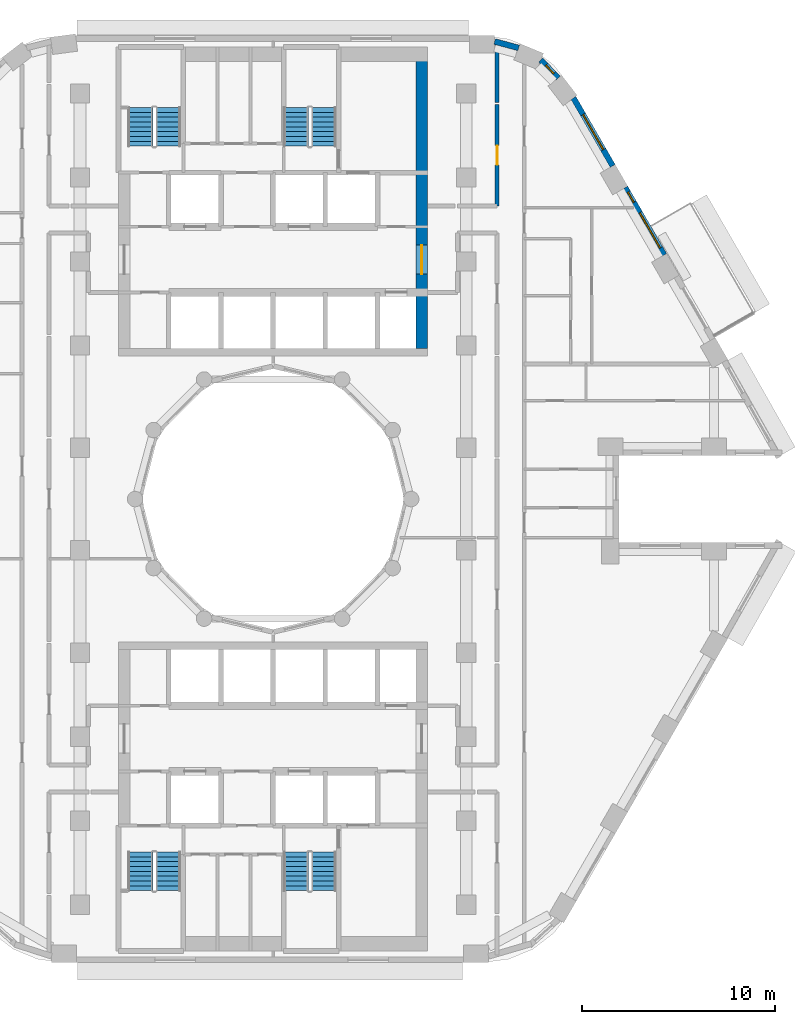
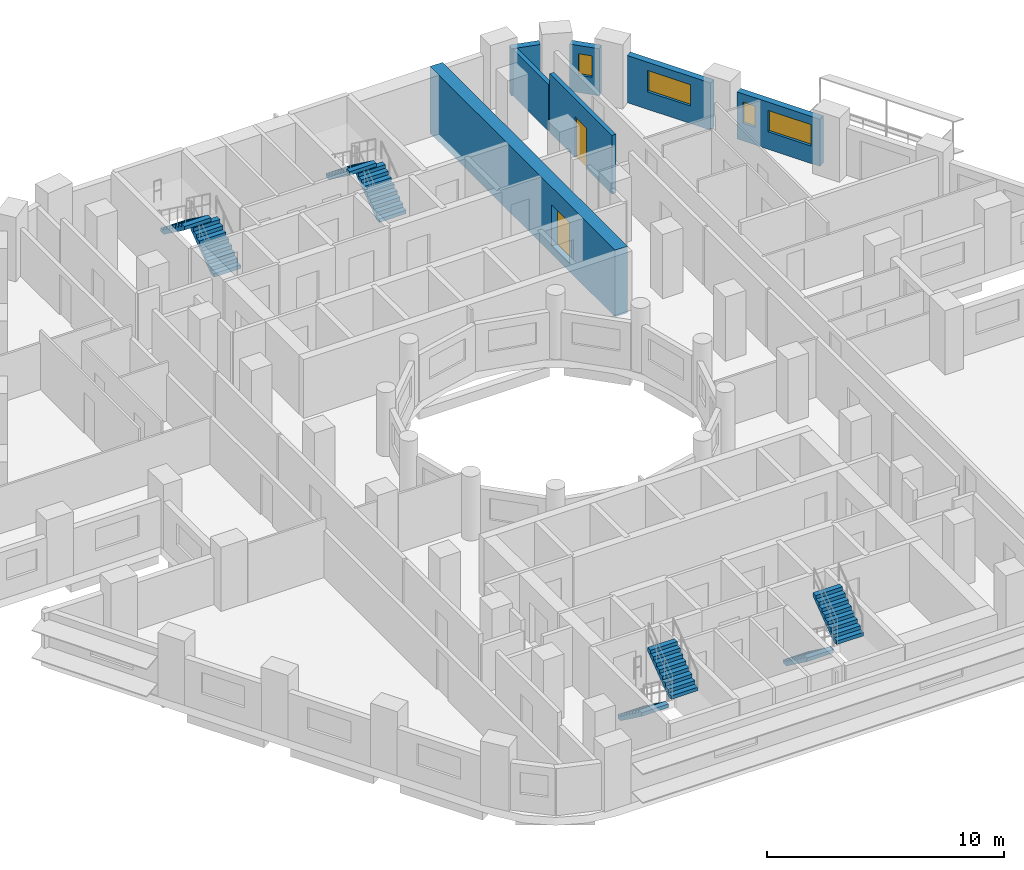
# One storey, part 9 of 14: 8 stair flights, 7 walls, 4 windows, 2 doors, 6 openings, 4 elements without a shape of their own.
"""IFC4 building model written with IfcOpenShell, lengths in metres."""

from ifc_helpers import new_model, si_unit, direction, frame, frame_2d, origin, place, context, subcontext, project, spatial, polyline, rectangle, outline, extrude, material, layer, layer_set, type_object, element, fill, aggregate, save


model = new_model("IFC4")

# Units and contexts
model_context = context("Model", 3, precision=1e-05, world=origin(), true_north=direction((0.0, 1.0)))
body_context = subcontext(model_context, "Body", "Model", "MODEL_VIEW")
ifc_project = project(units=[si_unit("LENGTHUNIT", "METRE"), si_unit("AREAUNIT", "SQUARE_METRE"), si_unit("VOLUMEUNIT", "CUBIC_METRE"), si_unit("PLANEANGLEUNIT", "RADIAN"), si_unit("MASSUNIT", "GRAM", prefix="KILO")], contexts=[model_context])

# Site, building, storey
site_placement = place(None, origin())
site = spatial("IfcSite", under=ifc_project, at=site_placement, CompositionType="ELEMENT")
building_placement = place(site_placement, origin())
building = spatial("IfcBuilding", under=site, at=building_placement, Name="Nakaniwa Court", CompositionType="ELEMENT")
storey_placement = place(building_placement, frame((0.0, 0.0, 127.199951171875)))
storey = spatial("IfcBuildingStorey", under=building, at=storey_placement, Name="L32", CompositionType="ELEMENT", Elevation=127.199951171875)

# Wall, opening, door
ifc_material_1 = material(Name="Acoustic double stud partition")
ifc_layer_1 = layer(ifc_material_1, 0.199951171875)
ifc_layer_set_1 = layer_set([ifc_layer_1], Name="Acoustic double stud partition")
wall_type_1 = type_object("IfcWallType", Name="Acoustic double stud partition 200", PredefinedType="PARTITIONING", material=ifc_layer_set_1)
wall_1_placement = place(storey_placement, frame((91.60009765625, 95.175048828125, 0.0), z_axis=(0.0, 0.0, 1.0), x_axis=(0.0, 1.0, 0.0)))
wall_1 = element("IfcWall", 1, at=wall_1_placement, inside=storey, type_object=wall_type_1, Name="Partition PW-079", PredefinedType="PARTITIONING", context=body_context, shape_type="SweptSolid", body=[
    extrude(rectangle(XDim=5.247802734375, YDim=0.199951171875, at=frame_2d((2.6240234375, 0.0))), origin(), (0.0, 0.0, 1.0), 3.025146484375),
])
opening_1_placement = place(wall_1_placement, frame((2.123046875, 0.0, 0.0)))
opening_1 = element("IfcOpeningElement", 2, at=opening_1_placement, cuts=wall_1, Name="Opening D-02-04", PredefinedType="OPENING", context=body_context, shape_type="SweptSolid", body=[
    extrude(rectangle(XDim=1.0, YDim=2.10009765625, at=frame_2d((0.5, 1.050048828125))), frame((0.0, 0.10986328125, 0.0), z_axis=(0.0, -1.0, 0.0), x_axis=(1.0, 0.0, 0.0)), (0.0, 0.0, 1.0), 0.219970703125),
])
ifc_material_2 = material(Name="Solid core timber door set, black veneer", Category="wood")
door_type_1 = type_object("IfcDoorType", Name="Internal door 1000", OperationType="NOTDEFINED", PredefinedType="DOOR", material=ifc_material_2)
door_1_placement = place(opening_1_placement, origin())
door_1 = element("IfcDoor", 3, at=door_1_placement, inside=storey, type_object=door_type_1, Name="Door D-02-04 L32-033", OperationType="SINGLE_SWING_RIGHT", OverallHeight=2.10009765625, OverallWidth=1.0, PredefinedType="DOOR", context=body_context, shape_type="SweptSolid", body=[
    extrude(rectangle(XDim=1.0, YDim=2.10009765625, at=frame_2d((0.5, 1.050048828125))), frame((0.0, 0.02490234375, 0.0), z_axis=(0.0, -1.0, 0.0), x_axis=(1.0, 0.0, 0.0)), (0.0, 0.0, 1.0), 0.050048828125),
])
fill(opening_1, door_1)

# Wall
wall_2_placement = place(storey_placement, frame((91.60009765625, 100.537109375, 0.0), z_axis=(0.0, 0.0, 1.0), x_axis=(0.0, 1.0, 0.0)))
element("IfcWall", 4, at=wall_2_placement, inside=storey, type_object=wall_type_1, Name="Partition PW-080", PredefinedType="PARTITIONING", context=body_context, shape_type="SweptSolid", body=[
    extrude(rectangle(XDim=3.06201171875, YDim=0.199951171875, at=frame_2d((1.531005859375, 0.0))), origin(), (0.0, 0.0, 1.0), 2.405029296875),
])

# Wall, openings, windows
ifc_material_3 = material(Name="Charcoal ceramic cladding")
ifc_layer_2 = layer(ifc_material_3, 0.02, Name="Ceramic cladding")
ifc_material_4 = material(Name="Ventilated air cavity")
ifc_layer_3 = layer(ifc_material_4, 0.04, ventilated=True, Name="Ventilated cavity")
ifc_material_5 = material(Name="Mineral wool insulation")
ifc_layer_4 = layer(ifc_material_5, 0.1, Name="Insulation")
ifc_material_6 = material(Name="Cement bonded sheathing board")
ifc_layer_5 = layer(ifc_material_6, 0.012, Name="Sheathing")
ifc_material_7 = material(Name="Cold-formed galvanised stud frame with mineral wool infill")
ifc_layer_6 = layer(ifc_material_7, 0.1, Name="Stud frame")
ifc_material_8 = material(Name="Fire-rated gypsum plasterboard lining")
ifc_layer_7 = layer(ifc_material_8, 0.028, Name="Lining")
ifc_layer_set_2 = layer_set([ifc_layer_2, ifc_layer_3, ifc_layer_4, ifc_layer_5, ifc_layer_6, ifc_layer_7], Name="Charcoal ceramic faced external wall system")
wall_type_2 = type_object("IfcWallType", Name="Black ceramic faced external wall 300", PredefinedType="SOLIDWALL", material=ifc_layer_set_2)
wall_3_placement = place(storey_placement, frame((100.245361328125, 92.63427734375, 0.0), z_axis=(0.0, 0.0, 1.0), x_axis=(-0.500031546601, 0.86600718958, 0.0)))
wall_3 = element("IfcWall", 5, at=wall_3_placement, inside=storey, type_object=wall_type_2, Name="L32 external wall 04", PredefinedType="SOLIDWALL", context=body_context, shape_type="SweptSolid", body=[
    extrude(rectangle(XDim=4.033935546875, YDim=0.300048828125, at=frame_2d((2.01708984375, 0.0))), origin(), (0.0, 0.0, 1.0), 2.425048828125),
])
opening_2_placement = place(wall_3_placement, frame((0.425048828125, 0.0, 0.89990234375)))
opening_2 = element("IfcOpeningElement", 6, at=opening_2_placement, cuts=wall_3, Name="Opening W7.05", PredefinedType="OPENING", context=body_context, shape_type="SweptSolid", body=[
    extrude(rectangle(XDim=2.10009765625, YDim=1.10009765625, at=frame_2d((1.050048828125, 0.550048828125))), frame((0.0, 0.159912109375, 0.0), z_axis=(0.0, -1.0, 0.0), x_axis=(1.0, 0.0, 0.0)), (0.0, 0.0, 1.0), 0.320068359375),
])
opening_3_placement = place(wall_3_placement, frame((3.154296875, 0.0, 0.89990234375)))
opening_3 = element("IfcOpeningElement", 7, at=opening_3_placement, cuts=wall_3, Name="Opening W8.06", PredefinedType="OPENING", context=body_context, shape_type="SweptSolid", body=[
    extrude(rectangle(XDim=0.60009765625, YDim=1.10009765625, at=frame_2d((0.300048828125, 0.550048828125))), frame((0.0, 0.159912109375, 0.0), z_axis=(0.0, -1.0, 0.0), x_axis=(1.0, 0.0, 0.0)), (0.0, 0.0, 1.0), 0.320068359375),
])
ifc_material_9 = material(Name="Black anodised aluminium frame with dark low-E laminated double glazing", Category="aluminium")
window_type_1 = type_object("IfcWindowType", Name="Dark glass window 2100x1100 sill 900", PartitioningType="SINGLE_PANEL", PredefinedType="WINDOW", material=ifc_material_9)
window_1_placement = place(opening_2_placement, origin())
window_1 = element("IfcWindow", 8, at=window_1_placement, inside=storey, type_object=window_type_1, Name="L32 living window 04-0", OverallHeight=1.10009765625, OverallWidth=2.10009765625, PartitioningType="SINGLE_PANEL", PredefinedType="WINDOW", context=body_context, shape_type="SweptSolid", body=[
    extrude(rectangle(XDim=2.10009765625, YDim=1.10009765625, at=frame_2d((1.050048828125, 0.550048828125))), frame((0.0, 0.030029296875, 0.0), z_axis=(0.0, -1.0, 0.0), x_axis=(1.0, 0.0, 0.0)), (0.0, 0.0, 1.0), 0.06005859375),
])
fill(opening_2, window_1)
window_type_2 = type_object("IfcWindowType", Name="Dark glass window 600x1100 sill 900", PartitioningType="SINGLE_PANEL", PredefinedType="WINDOW", material=ifc_material_9)
window_2_placement = place(opening_3_placement, origin())
window_2 = element("IfcWindow", 9, at=window_2_placement, inside=storey, type_object=window_type_2, Name="L32 habitable room window 04-1", OverallHeight=1.10009765625, OverallWidth=0.60009765625, PartitioningType="SINGLE_PANEL", PredefinedType="WINDOW", context=body_context, shape_type="SweptSolid", body=[
    extrude(rectangle(XDim=0.60009765625, YDim=1.10009765625, at=frame_2d((0.300048828125, 0.550048828125))), frame((0.0, 0.030029296875, 0.0), z_axis=(0.0, -1.0, 0.0), x_axis=(1.0, 0.0, 0.0)), (0.0, 0.0, 1.0), 0.06005859375),
])
fill(opening_3, window_2)

# Wall, opening, window
wall_4_placement = place(storey_placement, frame((97.582275390625, 97.24658203125, 0.0), z_axis=(0.0, 0.0, 1.0), x_axis=(-0.500018589245, 0.866014671013, 0.0)))
wall_4 = element("IfcWall", 10, at=wall_4_placement, inside=storey, type_object=wall_type_2, Name="L32 external wall 05", PredefinedType="SOLIDWALL", context=body_context, shape_type="SweptSolid", body=[
    extrude(rectangle(XDim=4.067626953125, YDim=0.300048828125, at=frame_2d((2.03369140625, 0.0))), origin(), (0.0, 0.0, 1.0), 2.425048828125),
])
opening_4_placement = place(wall_4_placement, frame((0.97265625, 0.0, 0.89990234375)))
opening_4 = element("IfcOpeningElement", 11, at=opening_4_placement, cuts=wall_4, Name="Opening W7.07", PredefinedType="OPENING", context=body_context, shape_type="SweptSolid", body=[
    extrude(rectangle(XDim=2.10009765625, YDim=1.10009765625, at=frame_2d((1.050048828125, 0.550048828125))), frame((0.0, 0.159912109375, 0.0), z_axis=(0.0, -1.0, 0.0), x_axis=(1.0, 0.0, 0.0)), (0.0, 0.0, 1.0), 0.320068359375),
])
window_3_placement = place(opening_4_placement, origin())
window_3 = element("IfcWindow", 12, at=window_3_placement, inside=storey, type_object=window_type_1, Name="L32 habitable room window 05-0", OverallHeight=1.10009765625, OverallWidth=2.10009765625, PartitioningType="SINGLE_PANEL", PredefinedType="WINDOW", context=body_context, shape_type="SweptSolid", body=[
    extrude(rectangle(XDim=2.10009765625, YDim=1.10009765625, at=frame_2d((1.050048828125, 0.550048828125))), frame((0.0, 0.030029296875, 0.0), z_axis=(0.0, -1.0, 0.0), x_axis=(1.0, 0.0, 0.0)), (0.0, 0.0, 1.0), 0.06005859375),
])
fill(opening_4, window_3)

wall_5_placement = place(storey_placement, frame((94.76318359375, 101.79541015625, 0.0), z_axis=(0.0, 0.0, 1.0), x_axis=(-0.697598997785, 0.716488407645, 0.0)))
wall_5 = element("IfcWall", 13, at=wall_5_placement, inside=storey, type_object=wall_type_2, Name="L32 external wall 06", PredefinedType="SOLIDWALL", context=body_context, shape_type="SweptSolid", body=[
    extrude(rectangle(XDim=1.305419921875, YDim=0.300048828125, at=frame_2d((0.65283203125, 0.0))), origin(), (0.0, 0.0, 1.0), 2.425048828125),
])
opening_5_placement = place(wall_5_placement, frame((0.328125, 0.0, 0.89990234375)))
opening_5 = element("IfcOpeningElement", 14, at=opening_5_placement, cuts=wall_5, Name="Opening W8.08", PredefinedType="OPENING", context=body_context, shape_type="SweptSolid", body=[
    extrude(rectangle(XDim=0.60009765625, YDim=1.10009765625, at=frame_2d((0.300048828125, 0.550048828125))), frame((0.0, 0.159912109375, 0.0), z_axis=(0.0, -1.0, 0.0), x_axis=(1.0, 0.0, 0.0)), (0.0, 0.0, 1.0), 0.320068359375),
])
window_4_placement = place(opening_5_placement, origin())
window_4 = element("IfcWindow", 15, at=window_4_placement, inside=storey, type_object=window_type_2, Name="L32 habitable room window 06-0", OverallHeight=1.10009765625, OverallWidth=0.60009765625, PartitioningType="SINGLE_PANEL", PredefinedType="WINDOW", context=body_context, shape_type="SweptSolid", body=[
    extrude(rectangle(XDim=0.60009765625, YDim=1.10009765625, at=frame_2d((0.300048828125, 0.550048828125))), frame((0.0, 0.030029296875, 0.0), z_axis=(0.0, -1.0, 0.0), x_axis=(1.0, 0.0, 0.0)), (0.0, 0.0, 1.0), 0.06005859375),
])
fill(opening_5, window_4)

# Wall
wall_6_placement = place(storey_placement, frame((92.712890625, 103.3564453125, 0.0), z_axis=(0.0, 0.0, 1.0), x_axis=(-0.965274225809, 0.26123872031, 0.0)))
element("IfcWall", 16, at=wall_6_placement, inside=storey, type_object=wall_type_2, Name="L32 external wall 07", PredefinedType="SOLIDWALL", context=body_context, shape_type="SweptSolid", body=[
    extrude(rectangle(XDim=1.286865234375, YDim=0.300048828125, at=frame_2d((0.6435546875, 0.0))), origin(), (0.0, 0.0, 1.0), 2.425048828125),
])

# Wall, opening, door
ifc_material_10 = material(Name="Concrete C80/100", Category="concrete")
ifc_layer_8 = layer(ifc_material_10, 0.60009765625)
ifc_layer_set_3 = layer_set([ifc_layer_8], Name="Concrete C80/100")
wall_type_3 = type_object("IfcWallType", Name="Concrete core side wall 600 C80", PredefinedType="SHEAR", material=ifc_layer_set_3)
wall_7_placement = place(storey_placement, frame((87.699951171875, 103.39990234375, -0.409912109375), z_axis=(0.0, 0.0, 1.0), x_axis=(0.0, -1.0, 0.0)))
wall_7 = element("IfcWall", 17, at=wall_7_placement, inside=storey, type_object=wall_type_3, Name="Core wall SW-14", PredefinedType="SHEAR", context=body_context, shape_type="SweptSolid", body=[
    extrude(rectangle(XDim=15.599853515625, YDim=0.60009765625, at=frame_2d((7.7998046875, 0.0))), origin(), (0.0, 0.0, 1.0), 3.43505859375),
])
opening_6_placement = place(wall_7_placement, frame((10.248046875, 0.0, 0.409912109375)))
opening_6 = element("IfcOpeningElement", 18, at=opening_6_placement, cuts=wall_7, Name="Opening D-07-01", PredefinedType="OPENING", context=body_context, shape_type="SweptSolid", body=[
    extrude(rectangle(XDim=1.5, YDim=2.10009765625, at=frame_2d((0.75, 1.050048828125))), frame((0.0, 0.31005859375, 0.0), z_axis=(0.0, -1.0, 0.0), x_axis=(1.0, 0.0, 0.0)), (0.0, 0.0, 1.0), 0.6201171875),
])
ifc_material_11 = material(Name="Glazed fire rated steel double door set", Category="steel")
door_type_2 = type_object("IfcDoorType", Name="Lobby double door 1500", OperationType="NOTDEFINED", PredefinedType="DOOR", material=ifc_material_11)
door_2_placement = place(opening_6_placement, origin())
door_2 = element("IfcDoor", 19, at=door_2_placement, inside=storey, type_object=door_type_2, Name="Door D-07-01 L32-047", OperationType="DOUBLE_DOOR_SINGLE_SWING", OverallHeight=2.10009765625, OverallWidth=1.5, PredefinedType="DOOR", context=body_context, shape_type="SweptSolid", body=[
    extrude(rectangle(XDim=1.5, YDim=2.10009765625, at=frame_2d((0.75, 1.050048828125))), frame((0.0, 0.02490234375, 0.0), z_axis=(0.0, -1.0, 0.0), x_axis=(1.0, 0.0, 0.0)), (0.0, 0.0, 1.0), 0.050048828125),
])
fill(opening_6, door_2)

# Stair, stair flights
stair_type = type_object("IfcStairType", Name="Dog leg stair 1300 wide 18 risers", PredefinedType="HALF_TURN_STAIR", material=ifc_material_10)
stair_1_placement = place(storey_placement, origin())
stair_1 = element("IfcStair", 20, at=stair_1_placement, inside=storey, type_object=stair_type, Name="L32 Stair ST1", PredefinedType="HALF_TURN_STAIR")
stair_flight_type = type_object("IfcStairFlightType", Name="Stair flight 1300 wide 9 risers", PredefinedType="STRAIGHT", material=ifc_material_10)
stair_flight_1_placement = place(storey_placement, frame((74.574951171875, 98.27490234375, 0.0), z_axis=(0.0, 0.0, 1.0), x_axis=(0.0, 1.0, 0.0)))
stair_flight_1 = element("IfcStairFlight", 21, at=stair_flight_1_placement, type_object=stair_flight_type, Name="ST1 flight 1", NumberOfRisers=9, NumberOfTreads=8, PredefinedType="STRAIGHT", RiserHeight=0.183333333, TreadLength=0.25, context=body_context, shape_type="SweptSolid", body=[
    extrude(outline(polyline([(0.0, 0.0), (0.0, 0.026123046875), (0.0, 0.052490234375), (0.0, 0.07861328125), (0.0, 0.104736328125), (0.0, 0.130859375), (0.0, 0.1572265625), (0.0, 0.183349609375), (0.25, 0.183349609375), (0.25, 0.36669921875), (0.5, 0.36669921875), (0.5, 0.550048828125), (0.75, 0.550048828125), (0.75, 0.7333984375), (1.0, 0.7333984375), (1.0, 0.916748046875), (1.25, 0.916748046875), (1.25, 1.10009765625), (1.5, 1.10009765625), (1.5, 1.283447265625), (1.75, 1.283447265625), (1.75, 1.466552734375), (2.0, 1.466552734375), (2.0, 1.64990234375), (2.0, 1.59716796875), (2.0, 1.54443359375), (2.0, 1.49169921875), (2.0, 1.43896484375), (2.0, 1.38623046875), (2.0, 1.33349609375), (2.0, 1.28076171875), (0.25341796875, 0.0), (0.0, 0.0)])), frame((0.0, 0.64990234375, 0.0), z_axis=(0.0, -1.0, 0.0), x_axis=(1.0, 0.0, 0.0)), (0.0, 0.0, 1.0), 1.300048828125),
])
stair_flight_2_placement = place(storey_placement, frame((73.125, 100.27490234375, 1.650146484375), z_axis=(0.0, 0.0, 1.0), x_axis=(0.0, -1.0, 0.0)))
stair_flight_2 = element("IfcStairFlight", 22, at=stair_flight_2_placement, type_object=stair_flight_type, Name="ST1 flight 2", NumberOfRisers=9, NumberOfTreads=8, PredefinedType="STRAIGHT", RiserHeight=0.183333333, TreadLength=0.25, context=body_context, shape_type="SweptSolid", body=[
    extrude(outline(polyline([(0.0, 0.0), (0.0, 0.026123046875), (0.0, 0.052490234375), (0.0, 0.07861328125), (0.0, 0.104736328125), (0.0, 0.130859375), (0.0, 0.1572265625), (0.0, 0.183349609375), (0.25, 0.183349609375), (0.25, 0.36669921875), (0.5, 0.36669921875), (0.5, 0.550048828125), (0.75, 0.550048828125), (0.75, 0.7333984375), (1.0, 0.7333984375), (1.0, 0.916748046875), (1.25, 0.916748046875), (1.25, 1.10009765625), (1.5, 1.10009765625), (1.5, 1.283447265625), (1.75, 1.283447265625), (1.75, 1.466552734375), (2.0, 1.466552734375), (2.0, 1.64990234375), (2.0, 1.59716796875), (2.0, 1.54443359375), (2.0, 1.49169921875), (2.0, 1.43896484375), (2.0, 1.38623046875), (2.0, 1.33349609375), (2.0, 1.28076171875), (0.25341796875, 0.0), (0.0, 0.0)])), frame((0.0, 0.64990234375, 0.0), z_axis=(0.0, -1.0, 0.0), x_axis=(1.0, 0.0, 0.0)), (0.0, 0.0, 1.0), 1.300048828125),
])
aggregate(stair_1, [stair_flight_1, stair_flight_2])

stair_2_placement = place(storey_placement, origin())
stair_2 = element("IfcStair", 23, at=stair_2_placement, inside=storey, type_object=stair_type, Name="L32 Stair ST2", PredefinedType="HALF_TURN_STAIR")
stair_flight_3_placement = place(storey_placement, frame((82.625, 98.27490234375, 0.0), z_axis=(0.0, 0.0, 1.0), x_axis=(0.0, 1.0, 0.0)))
stair_flight_3 = element("IfcStairFlight", 24, at=stair_flight_3_placement, type_object=stair_flight_type, Name="ST2 flight 1", NumberOfRisers=9, NumberOfTreads=8, PredefinedType="STRAIGHT", RiserHeight=0.183333333, TreadLength=0.25, context=body_context, shape_type="SweptSolid", body=[
    extrude(outline(polyline([(0.0, 0.0), (0.0, 0.026123046875), (0.0, 0.052490234375), (0.0, 0.07861328125), (0.0, 0.104736328125), (0.0, 0.130859375), (0.0, 0.1572265625), (0.0, 0.183349609375), (0.25, 0.183349609375), (0.25, 0.36669921875), (0.5, 0.36669921875), (0.5, 0.550048828125), (0.75, 0.550048828125), (0.75, 0.7333984375), (1.0, 0.7333984375), (1.0, 0.916748046875), (1.25, 0.916748046875), (1.25, 1.10009765625), (1.5, 1.10009765625), (1.5, 1.283447265625), (1.75, 1.283447265625), (1.75, 1.466552734375), (2.0, 1.466552734375), (2.0, 1.64990234375), (2.0, 1.59716796875), (2.0, 1.54443359375), (2.0, 1.49169921875), (2.0, 1.43896484375), (2.0, 1.38623046875), (2.0, 1.33349609375), (2.0, 1.28076171875), (0.25341796875, 0.0), (0.0, 0.0)])), frame((0.0, 0.64990234375, 0.0), z_axis=(0.0, -1.0, 0.0), x_axis=(1.0, 0.0, 0.0)), (0.0, 0.0, 1.0), 1.300048828125),
])
stair_flight_4_placement = place(storey_placement, frame((81.175048828125, 100.27490234375, 1.650146484375), z_axis=(0.0, 0.0, 1.0), x_axis=(0.0, -1.0, 0.0)))
stair_flight_4 = element("IfcStairFlight", 25, at=stair_flight_4_placement, type_object=stair_flight_type, Name="ST2 flight 2", NumberOfRisers=9, NumberOfTreads=8, PredefinedType="STRAIGHT", RiserHeight=0.183333333, TreadLength=0.25, context=body_context, shape_type="SweptSolid", body=[
    extrude(outline(polyline([(0.0, 0.0), (0.0, 0.026123046875), (0.0, 0.052490234375), (0.0, 0.07861328125), (0.0, 0.104736328125), (0.0, 0.130859375), (0.0, 0.1572265625), (0.0, 0.183349609375), (0.25, 0.183349609375), (0.25, 0.36669921875), (0.5, 0.36669921875), (0.5, 0.550048828125), (0.75, 0.550048828125), (0.75, 0.7333984375), (1.0, 0.7333984375), (1.0, 0.916748046875), (1.25, 0.916748046875), (1.25, 1.10009765625), (1.5, 1.10009765625), (1.5, 1.283447265625), (1.75, 1.283447265625), (1.75, 1.466552734375), (2.0, 1.466552734375), (2.0, 1.64990234375), (2.0, 1.59716796875), (2.0, 1.54443359375), (2.0, 1.49169921875), (2.0, 1.43896484375), (2.0, 1.38623046875), (2.0, 1.33349609375), (2.0, 1.28076171875), (0.25341796875, 0.0), (0.0, 0.0)])), frame((0.0, 0.64990234375, 0.0), z_axis=(0.0, -1.0, 0.0), x_axis=(1.0, 0.0, 0.0)), (0.0, 0.0, 1.0), 1.300048828125),
])
aggregate(stair_2, [stair_flight_3, stair_flight_4])

stair_3_placement = place(storey_placement, origin())
stair_3 = element("IfcStair", 26, at=stair_3_placement, inside=storey, type_object=stair_type, Name="L32 Stair ST3", PredefinedType="HALF_TURN_STAIR")
stair_flight_5_placement = place(storey_placement, frame((73.125, 61.72509765625, 0.0), z_axis=(0.0, 0.0, 1.0), x_axis=(0.0, -1.0, 0.0)))
stair_flight_5 = element("IfcStairFlight", 27, at=stair_flight_5_placement, type_object=stair_flight_type, Name="ST3 flight 1", NumberOfRisers=9, NumberOfTreads=8, PredefinedType="STRAIGHT", RiserHeight=0.183333333, TreadLength=0.25, context=body_context, shape_type="SweptSolid", body=[
    extrude(outline(polyline([(0.0, 0.0), (0.0, 0.026123046875), (0.0, 0.052490234375), (0.0, 0.07861328125), (0.0, 0.104736328125), (0.0, 0.130859375), (0.0, 0.1572265625), (0.0, 0.183349609375), (0.25, 0.183349609375), (0.25, 0.36669921875), (0.5, 0.36669921875), (0.5, 0.550048828125), (0.75, 0.550048828125), (0.75, 0.7333984375), (1.0, 0.7333984375), (1.0, 0.916748046875), (1.25, 0.916748046875), (1.25, 1.10009765625), (1.5, 1.10009765625), (1.5, 1.283447265625), (1.75, 1.283447265625), (1.75, 1.466552734375), (2.0, 1.466552734375), (2.0, 1.64990234375), (2.0, 1.59716796875), (2.0, 1.54443359375), (2.0, 1.49169921875), (2.0, 1.43896484375), (2.0, 1.38623046875), (2.0, 1.33349609375), (2.0, 1.28076171875), (0.25341796875, 0.0), (0.0, 0.0)])), frame((0.0, 0.64990234375, 0.0), z_axis=(0.0, -1.0, 0.0), x_axis=(1.0, 0.0, 0.0)), (0.0, 0.0, 1.0), 1.300048828125),
])
stair_flight_6_placement = place(storey_placement, frame((74.574951171875, 59.72509765625, 1.650146484375), z_axis=(0.0, 0.0, 1.0), x_axis=(0.0, 1.0, 0.0)))
stair_flight_6 = element("IfcStairFlight", 28, at=stair_flight_6_placement, type_object=stair_flight_type, Name="ST3 flight 2", NumberOfRisers=9, NumberOfTreads=8, PredefinedType="STRAIGHT", RiserHeight=0.183333333, TreadLength=0.25, context=body_context, shape_type="SweptSolid", body=[
    extrude(outline(polyline([(0.0, 0.0), (0.0, 0.026123046875), (0.0, 0.052490234375), (0.0, 0.07861328125), (0.0, 0.104736328125), (0.0, 0.130859375), (0.0, 0.1572265625), (0.0, 0.183349609375), (0.25, 0.183349609375), (0.25, 0.36669921875), (0.5, 0.36669921875), (0.5, 0.550048828125), (0.75, 0.550048828125), (0.75, 0.7333984375), (1.0, 0.7333984375), (1.0, 0.916748046875), (1.25, 0.916748046875), (1.25, 1.10009765625), (1.5, 1.10009765625), (1.5, 1.283447265625), (1.75, 1.283447265625), (1.75, 1.466552734375), (2.0, 1.466552734375), (2.0, 1.64990234375), (2.0, 1.59716796875), (2.0, 1.54443359375), (2.0, 1.49169921875), (2.0, 1.43896484375), (2.0, 1.38623046875), (2.0, 1.33349609375), (2.0, 1.28076171875), (0.25341796875, 0.0), (0.0, 0.0)])), frame((0.0, 0.64990234375, 0.0), z_axis=(0.0, -1.0, 0.0), x_axis=(1.0, 0.0, 0.0)), (0.0, 0.0, 1.0), 1.300048828125),
])
aggregate(stair_3, [stair_flight_5, stair_flight_6])

stair_4_placement = place(storey_placement, origin())
stair_4 = element("IfcStair", 29, at=stair_4_placement, inside=storey, type_object=stair_type, Name="L32 Stair ST4", PredefinedType="HALF_TURN_STAIR")
stair_flight_7_placement = place(storey_placement, frame((81.175048828125, 61.72509765625, 0.0), z_axis=(0.0, 0.0, 1.0), x_axis=(0.0, -1.0, 0.0)))
stair_flight_7 = element("IfcStairFlight", 30, at=stair_flight_7_placement, type_object=stair_flight_type, Name="ST4 flight 1", NumberOfRisers=9, NumberOfTreads=8, PredefinedType="STRAIGHT", RiserHeight=0.183333333, TreadLength=0.25, context=body_context, shape_type="SweptSolid", body=[
    extrude(outline(polyline([(0.0, 0.0), (0.0, 0.026123046875), (0.0, 0.052490234375), (0.0, 0.07861328125), (0.0, 0.104736328125), (0.0, 0.130859375), (0.0, 0.1572265625), (0.0, 0.183349609375), (0.25, 0.183349609375), (0.25, 0.36669921875), (0.5, 0.36669921875), (0.5, 0.550048828125), (0.75, 0.550048828125), (0.75, 0.7333984375), (1.0, 0.7333984375), (1.0, 0.916748046875), (1.25, 0.916748046875), (1.25, 1.10009765625), (1.5, 1.10009765625), (1.5, 1.283447265625), (1.75, 1.283447265625), (1.75, 1.466552734375), (2.0, 1.466552734375), (2.0, 1.64990234375), (2.0, 1.59716796875), (2.0, 1.54443359375), (2.0, 1.49169921875), (2.0, 1.43896484375), (2.0, 1.38623046875), (2.0, 1.33349609375), (2.0, 1.28076171875), (0.25341796875, 0.0), (0.0, 0.0)])), frame((0.0, 0.64990234375, 0.0), z_axis=(0.0, -1.0, 0.0), x_axis=(1.0, 0.0, 0.0)), (0.0, 0.0, 1.0), 1.300048828125),
])
stair_flight_8_placement = place(storey_placement, frame((82.625, 59.72509765625, 1.650146484375), z_axis=(0.0, 0.0, 1.0), x_axis=(0.0, 1.0, 0.0)))
stair_flight_8 = element("IfcStairFlight", 31, at=stair_flight_8_placement, type_object=stair_flight_type, Name="ST4 flight 2", NumberOfRisers=9, NumberOfTreads=8, PredefinedType="STRAIGHT", RiserHeight=0.183333333, TreadLength=0.25, context=body_context, shape_type="SweptSolid", body=[
    extrude(outline(polyline([(0.0, 0.0), (0.0, 0.026123046875), (0.0, 0.052490234375), (0.0, 0.07861328125), (0.0, 0.104736328125), (0.0, 0.130859375), (0.0, 0.1572265625), (0.0, 0.183349609375), (0.25, 0.183349609375), (0.25, 0.36669921875), (0.5, 0.36669921875), (0.5, 0.550048828125), (0.75, 0.550048828125), (0.75, 0.7333984375), (1.0, 0.7333984375), (1.0, 0.916748046875), (1.25, 0.916748046875), (1.25, 1.10009765625), (1.5, 1.10009765625), (1.5, 1.283447265625), (1.75, 1.283447265625), (1.75, 1.466552734375), (2.0, 1.466552734375), (2.0, 1.64990234375), (2.0, 1.59716796875), (2.0, 1.54443359375), (2.0, 1.49169921875), (2.0, 1.43896484375), (2.0, 1.38623046875), (2.0, 1.33349609375), (2.0, 1.28076171875), (0.25341796875, 0.0), (0.0, 0.0)])), frame((0.0, 0.64990234375, 0.0), z_axis=(0.0, -1.0, 0.0), x_axis=(1.0, 0.0, 0.0)), (0.0, 0.0, 1.0), 1.300048828125),
])
aggregate(stair_4, [stair_flight_7, stair_flight_8])

save(model, "model.ifc")
